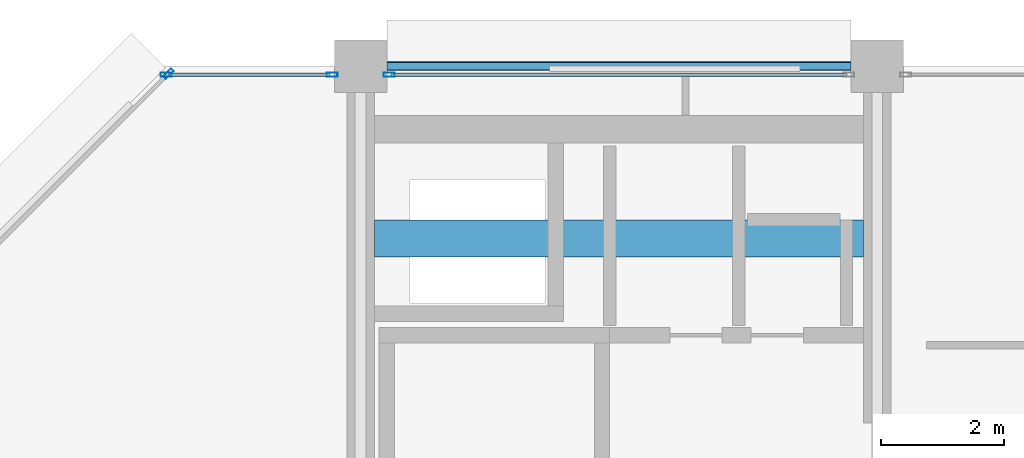
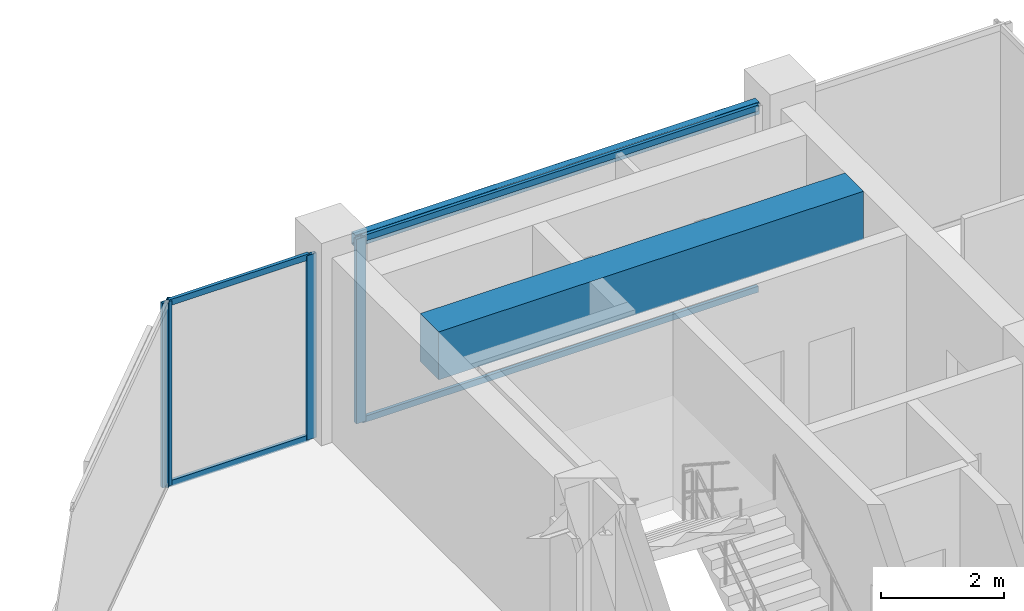
# One storey, part 17 of 25: 8 members, 2 beams, 3 elements without a shape of their own.
"""IFC4 building model written with IfcOpenShell, lengths in metres."""

from ifc_helpers import new_model, si_unit, direction, frame, origin, origin_2d, place, context, subcontext, project, spatial, rectangle, hollow_rectangle, extrude, material, layer, layer_set, material_profile, profile_set, type_object, element, aggregate, save


model = new_model("IFC4")

# Units and contexts
model_context = context("Model", 3, precision=1e-05, world=origin(), true_north=direction((0.0, 1.0)))
body_context = subcontext(model_context, "Body", "Model", "MODEL_VIEW")
ifc_project = project(units=[si_unit("LENGTHUNIT", "METRE"), si_unit("AREAUNIT", "SQUARE_METRE"), si_unit("VOLUMEUNIT", "CUBIC_METRE"), si_unit("PLANEANGLEUNIT", "RADIAN"), si_unit("MASSUNIT", "GRAM", prefix="KILO")], contexts=[model_context])

# Site, building, storey
site_placement = place(None, origin())
site = spatial("IfcSite", under=ifc_project, at=site_placement, CompositionType="ELEMENT")
building_placement = place(site_placement, origin())
building = spatial("IfcBuilding", under=site, at=building_placement, Name="Nerrivon Quay Data Exchange", CompositionType="ELEMENT")
storey_placement = place(building_placement, frame((0.0, 0.0, 318.199951171875)))
storey = spatial("IfcBuildingStorey", under=building, at=storey_placement, Name="L76", CompositionType="ELEMENT", Elevation=318.199951171875)

# Beams
ifc_material_1 = material(Name="Concrete N50 (50 MPa)", Category="concrete")
ifc_material_profile_1 = material_profile(ifc_material_1, rectangle(XDim=0.60009765625, YDim=0.949951171875, at=origin_2d()), Name="RC-CB-600x950")
ifc_profile_set_1 = profile_set([ifc_material_profile_1], Name="Concrete N50 (50 MPa)")
beam_type_1 = type_object("IfcBeamType", Name="BM-CB2-600x950", PredefinedType="LINTEL", material=ifc_profile_set_1)
beam_1_placement = place(storey_placement, frame((8.625, 39.199951171875, 3.175048828125), z_axis=(1.0, 0.0, 0.0), x_axis=(0.0, 1.0, 0.0)))
element("IfcBeam", 1, at=beam_1_placement, inside=storey, type_object=beam_type_1, Name="L76 West Core Coupling Beam", PredefinedType="LINTEL", context=body_context, shape_type="SweptSolid", body=[
    extrude(rectangle(XDim=0.60009765625, YDim=0.949951171875, at=origin_2d()), origin(), (0.0, 0.0, 1.0), 7.949951171875),
])
ifc_material_2 = material(Name="Steel Grade C350L0 (350 MPa)", Category="steel")
ifc_material_profile_2 = material_profile(ifc_material_2, hollow_rectangle(XDim=0.14990234375, YDim=0.25, WallThickness=0.009033203125, InnerFilletRadius=0.013427734375, OuterFilletRadius=0.0224609375, at=origin_2d()), Name="250x150x9.0RHS")
ifc_profile_set_2 = profile_set([ifc_material_profile_2], Name="Steel Grade C350L0 (350 MPa)")
beam_type_2 = type_object("IfcBeamType", Name="BM-SP4-250x150RHS", PredefinedType="SPANDREL", material=ifc_profile_set_2)
beam_2_placement = place(storey_placement, frame((8.824951171875, 42.0, 3.525146484375), z_axis=(1.0, 0.0, 0.0), x_axis=(0.0, 1.0, 0.0)))
element("IfcBeam", 2, at=beam_2_placement, inside=storey, type_object=beam_type_2, Name="L76 EW Girder Y=42.0 (8.4..16.8)", PredefinedType="SPANDREL", context=body_context, shape_type="SweptSolid", body=[
    extrude(hollow_rectangle(XDim=0.14990234375, YDim=0.25, WallThickness=0.009033203125, InnerFilletRadius=0.013427734375, OuterFilletRadius=0.0224609375, at=origin_2d()), origin(), (0.0, 0.0, 1.0), 7.550048828125),
])

# Curtain wall, member
ifc_material_3 = material(Name="Anodised aluminium 6063-T6", Category="aluminium")
ifc_layer = layer(ifc_material_3, 0.195068359375)
ifc_layer_set = layer_set([ifc_layer], Name="Anodised aluminium 6063-T6")
curtain_wall_type = type_object("IfcCurtainWallType", Name="CW-SYS-06", PredefinedType="NOTDEFINED", material=ifc_layer_set)
curtain_wall_1_placement = place(storey_placement, origin())
curtain_wall_1 = element("IfcCurtainWall", 3, at=curtain_wall_1_placement, inside=storey, type_object=curtain_wall_type, Name="L76 Unitised Curtain Wall 13", PredefinedType="NOTDEFINED")
ifc_material_profile_3 = material_profile(ifc_material_3, hollow_rectangle(XDim=0.06494140625, YDim=0.179931640625, WallThickness=0.00341796875, at=origin_2d()), Name="ALU-MULL-180x65")
ifc_profile_set_3 = profile_set([ifc_material_profile_3], Name="Anodised aluminium 6063-T6")
member_type_1 = type_object("IfcMemberType", Name="CWM-180x65", PredefinedType="MULLION", material=ifc_profile_set_3)
member_1_placement = place(storey_placement, frame((5.2724609375, 41.87451171875, 0.0), z_axis=(0.0, 0.0, 1.0), x_axis=(-0.707106781187, 0.707106781187, 0.0)))
member_1 = element("IfcMember", 4, at=member_1_placement, type_object=member_type_1, Name="CW06 mullion 2", PredefinedType="MULLION", context=body_context, shape_type="SweptSolid", body=[
    extrude(hollow_rectangle(XDim=0.06494140625, YDim=0.179931640625, WallThickness=0.00341796875, at=origin_2d()), origin(), (0.0, 0.0, 1.0), 3.650146484375),
])
aggregate(curtain_wall_1, [member_1])

# Curtain wall, members
curtain_wall_2_placement = place(storey_placement, origin())
curtain_wall_2 = element("IfcCurtainWall", 5, at=curtain_wall_2_placement, inside=storey, type_object=curtain_wall_type, Name="L76 Unitised Curtain Wall 14", PredefinedType="NOTDEFINED")
member_2_placement = place(storey_placement, frame((5.237548828125, 41.860107421875, 0.0), z_axis=(0.0, 0.0, 1.0), x_axis=(0.0, 1.0, 0.0)))
member_2 = element("IfcMember", 6, at=member_2_placement, type_object=member_type_1, Name="CW06 mullion 1", PredefinedType="MULLION", context=body_context, shape_type="SweptSolid", body=[
    extrude(hollow_rectangle(XDim=0.06494140625, YDim=0.179931640625, WallThickness=0.00341796875, at=origin_2d()), origin(), (0.0, 0.0, 1.0), 3.650146484375),
])
member_3_placement = place(storey_placement, frame((7.9375, 41.860107421875, 0.0), z_axis=(0.0, 0.0, 1.0), x_axis=(0.0, 1.0, 0.0)))
member_3 = element("IfcMember", 7, at=member_3_placement, type_object=member_type_1, Name="CW06 mullion 2", PredefinedType="MULLION", context=body_context, shape_type="SweptSolid", body=[
    extrude(hollow_rectangle(XDim=0.06494140625, YDim=0.179931640625, WallThickness=0.00341796875, at=origin_2d()), origin(), (0.0, 0.0, 1.0), 3.650146484375),
])

# Curtain wall, member
curtain_wall_3_placement = place(storey_placement, origin())
curtain_wall_3 = element("IfcCurtainWall", 8, at=curtain_wall_3_placement, inside=storey, type_object=curtain_wall_type, Name="L76 Unitised Curtain Wall 15", PredefinedType="NOTDEFINED")
member_4_placement = place(storey_placement, frame((8.862548828125, 41.860107421875, 0.0), z_axis=(0.0, 0.0, 1.0), x_axis=(0.0, 1.0, 0.0)))
member_4 = element("IfcMember", 9, at=member_4_placement, type_object=member_type_1, Name="CW06 mullion 1", PredefinedType="MULLION", context=body_context, shape_type="SweptSolid", body=[
    extrude(hollow_rectangle(XDim=0.06494140625, YDim=0.179931640625, WallThickness=0.00341796875, at=origin_2d()), origin(), (0.0, 0.0, 1.0), 3.650146484375),
])

# Member
ifc_material_profile_4 = material_profile(ifc_material_3, hollow_rectangle(XDim=0.06005859375, YDim=0.1201171875, WallThickness=0.003173828125, at=origin_2d()), Name="ALU-TRAN-120x60")
ifc_profile_set_4 = profile_set([ifc_material_profile_4], Name="Anodised aluminium 6063-T6")
member_type_2 = type_object("IfcMemberType", Name="CWT-120x60", PredefinedType="USERDEFINED", material=ifc_profile_set_4)
member_5_placement = place(storey_placement, frame((5.27490234375, 41.860107421875, 0.032470703125), z_axis=(1.0, 0.0, 0.0), x_axis=(0.0, 1.0, 0.0)))
member_5 = element("IfcMember", 10, at=member_5_placement, type_object=member_type_2, Name="CW06 transom 1.1", ObjectType="TRANSOM", PredefinedType="USERDEFINED", context=body_context, shape_type="SweptSolid", body=[
    extrude(hollow_rectangle(XDim=0.06005859375, YDim=0.1201171875, WallThickness=0.003173828125, at=origin_2d()), origin(), (0.0, 0.0, 1.0), 2.625),
])

member_6_placement = place(storey_placement, frame((5.27490234375, 41.860107421875, 3.617431640625), z_axis=(1.0, 0.0, 0.0), x_axis=(0.0, 1.0, 0.0)))
member_6 = element("IfcMember", 11, at=member_6_placement, type_object=member_type_2, Name="CW06 transom 1.2", ObjectType="TRANSOM", PredefinedType="USERDEFINED", context=body_context, shape_type="SweptSolid", body=[
    extrude(hollow_rectangle(XDim=0.06005859375, YDim=0.1201171875, WallThickness=0.003173828125, at=origin_2d()), origin(), (0.0, 0.0, 1.0), 2.625),
])

aggregate(curtain_wall_2, [member_2, member_3, member_5, member_6])

member_7_placement = place(storey_placement, frame((8.89990234375, 41.860107421875, 0.032470703125), z_axis=(1.0, 0.0, 0.0), x_axis=(0.0, 1.0, 0.0)))
member_7 = element("IfcMember", 12, at=member_7_placement, type_object=member_type_2, Name="CW06 transom 1.1", ObjectType="TRANSOM", PredefinedType="USERDEFINED", context=body_context, shape_type="SweptSolid", body=[
    extrude(hollow_rectangle(XDim=0.06005859375, YDim=0.1201171875, WallThickness=0.003173828125, at=origin_2d()), origin(), (0.0, 0.0, 1.0), 7.400146484375),
])

member_8_placement = place(storey_placement, frame((8.89990234375, 41.860107421875, 3.617431640625), z_axis=(1.0, 0.0, 0.0), x_axis=(0.0, 1.0, 0.0)))
member_8 = element("IfcMember", 13, at=member_8_placement, type_object=member_type_2, Name="CW06 transom 1.2", ObjectType="TRANSOM", PredefinedType="USERDEFINED", context=body_context, shape_type="SweptSolid", body=[
    extrude(hollow_rectangle(XDim=0.06005859375, YDim=0.1201171875, WallThickness=0.003173828125, at=origin_2d()), origin(), (0.0, 0.0, 1.0), 7.400146484375),
])

aggregate(curtain_wall_3, [member_4, member_7, member_8])

save(model, "model.ifc")
